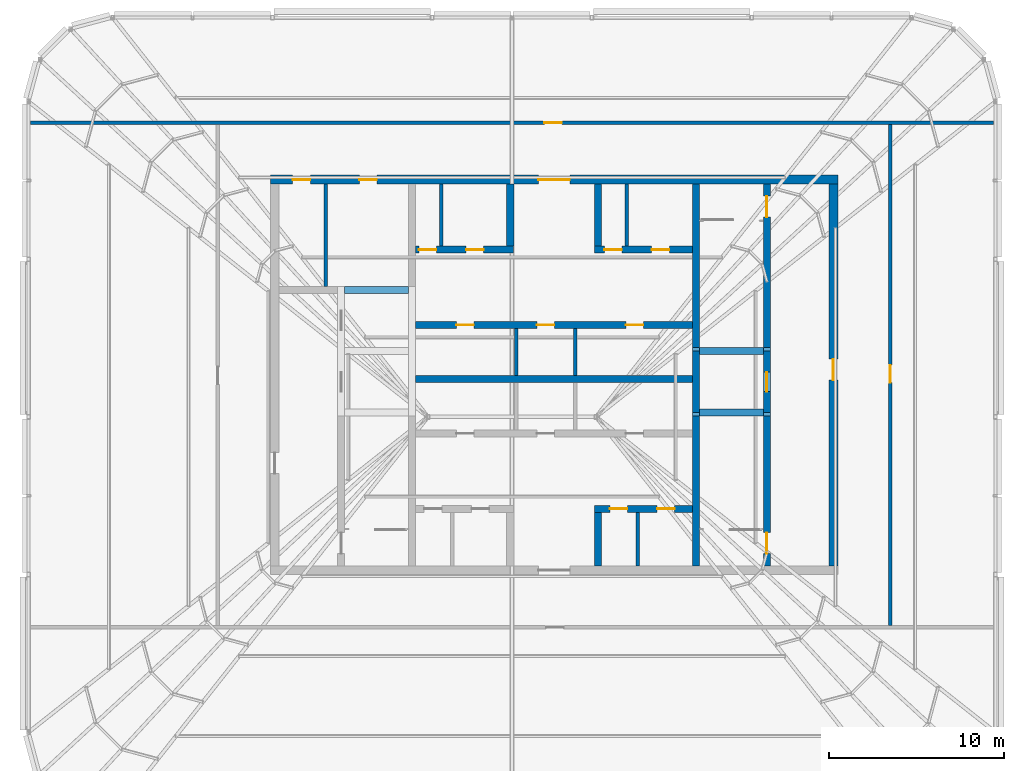
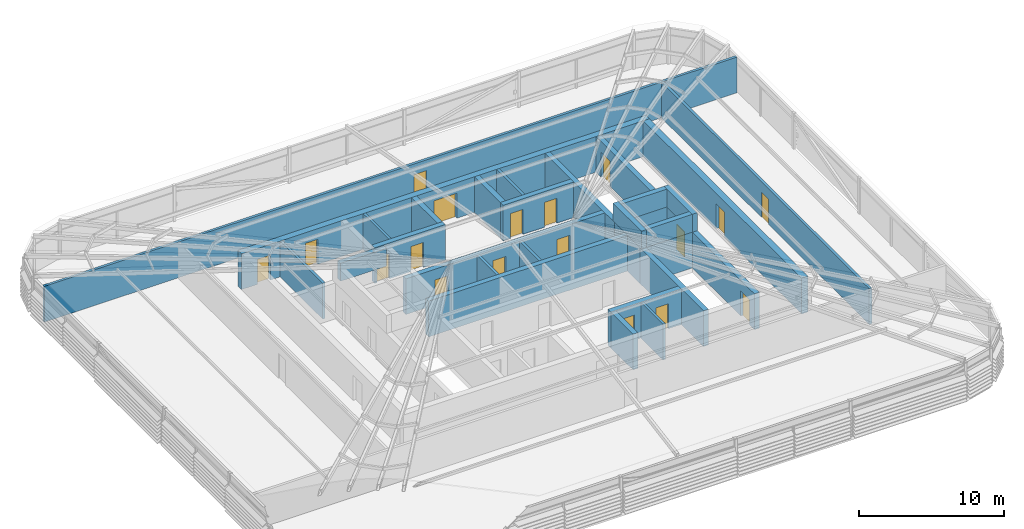
# One storey, part 22 of 46: 31 walls, 18 doors, 18 openings.
"""IFC4 building model written with IfcOpenShell, lengths in metres."""

from ifc_helpers import new_model, si_unit, direction, frame, frame_2d, origin, place, context, subcontext, project, spatial, rectangle, extrude, material, layer, layer_set, type_object, element, fill, save


model = new_model("IFC4")

# Units and contexts
model_context = context("Model", 3, precision=1e-05, world=origin(), true_north=direction((0.0, 1.0)))
body_context = subcontext(model_context, "Body", "Model", "MODEL_VIEW")
ifc_project = project(units=[si_unit("LENGTHUNIT", "METRE"), si_unit("AREAUNIT", "SQUARE_METRE"), si_unit("VOLUMEUNIT", "CUBIC_METRE"), si_unit("PLANEANGLEUNIT", "RADIAN"), si_unit("MASSUNIT", "GRAM", prefix="KILO")], contexts=[model_context])

# Site, building, storey
site_placement = place(None, origin())
site = spatial("IfcSite", under=ifc_project, at=site_placement, CompositionType="ELEMENT")
building_placement = place(site_placement, origin())
building = spatial("IfcBuilding", under=site, at=building_placement, Name="Madar Terraces", CompositionType="ELEMENT")
storey_placement = place(building_placement, frame((0.0, 0.0, 317.300048828125)))
storey = spatial("IfcBuildingStorey", under=building, at=storey_placement, Name="L82", CompositionType="ELEMENT", Elevation=317.300048828125)

# Walls
ifc_material_1 = material(Name="Concrete C50/60", Category="concrete")
ifc_layer_1 = layer(ifc_material_1, 0.39990234375)
ifc_layer_set_1 = layer_set([ifc_layer_1], Name="Concrete C50/60 (CIW6 RC wall 400)")
wall_type_1 = type_object("IfcWallType", Name="CIW6 RC wall 400", PredefinedType="SHEAR", material=ifc_layer_set_1)
wall_1_placement = place(storey_placement, frame((39.300048828125, 15.5, 0.0), z_axis=(0.0, 0.0, 1.0), x_axis=(0.0, 1.0, 0.0)))
element("IfcWall", 1, at=wall_1_placement, inside=storey, type_object=wall_type_1, Name="CORE SHAFT WALL", PredefinedType="SHEAR", context=body_context, shape_type="SweptSolid", body=[
    extrude(rectangle(XDim=8.75, YDim=0.39990234375, at=frame_2d((4.375, 0.0))), origin(), (0.0, 0.0, 1.0), 3.0),
])
wall_2_placement = place(storey_placement, frame((39.300048828125, 24.25, 0.0), z_axis=(0.0, 0.0, 1.0), x_axis=(0.0, 1.0, 0.0)))
element("IfcWall", 2, at=wall_2_placement, inside=storey, type_object=wall_type_1, Name="CORE SHAFT WALL", PredefinedType="SHEAR", context=body_context, shape_type="SweptSolid", body=[
    extrude(rectangle(XDim=3.5, YDim=0.39990234375, at=frame_2d((1.75, 0.0))), origin(), (0.0, 0.0, 1.0), 3.0),
])
wall_3_placement = place(storey_placement, frame((39.300048828125, 27.75, 0.0), z_axis=(0.0, 0.0, 1.0), x_axis=(0.0, 1.0, 0.0)))
element("IfcWall", 3, at=wall_3_placement, inside=storey, type_object=wall_type_1, Name="CORE SHAFT WALL", PredefinedType="SHEAR", context=body_context, shape_type="SweptSolid", body=[
    extrude(rectangle(XDim=9.550048828125, YDim=0.39990234375, at=frame_2d((4.77490234375, 0.0))), origin(), (0.0, 0.0, 1.0), 3.0),
])

# Wall, opening, door
wall_4_placement = place(storey_placement, frame((43.35009765625, 15.5, 0.0), z_axis=(0.0, 0.0, 1.0), x_axis=(0.0, 1.0, 0.0)))
wall_4 = element("IfcWall", 4, at=wall_4_placement, inside=storey, type_object=wall_type_1, Name="CORE SHAFT WALL", PredefinedType="SHEAR", context=body_context, shape_type="SweptSolid", body=[
    extrude(rectangle(XDim=8.75, YDim=0.39990234375, at=frame_2d((4.375, 0.0))), origin(), (0.0, 0.0, 1.0), 3.0),
])
opening_1_placement = place(wall_4_placement, frame((0.699951171875, 0.0, 0.0)))
opening_1 = element("IfcOpeningElement", 5, at=opening_1_placement, cuts=wall_4, Name="Opening SD1", PredefinedType="OPENING", context=body_context, shape_type="SweptSolid", body=[
    extrude(rectangle(XDim=1.199951171875, YDim=2.10009765625, at=frame_2d((0.60009765625, 1.050048828125))), frame((0.0, 0.2099609375, 0.0), z_axis=(0.0, -1.0, 0.0), x_axis=(1.0, 0.0, 0.0)), (0.0, 0.0, 1.0), 0.419921875),
])
ifc_material_2 = material(Name="Steel door leaf", Category="steel")
door_type_1 = type_object("IfcDoorType", Name="Stair door 1200 x 2100", OperationType="NOTDEFINED", PredefinedType="DOOR", material=ifc_material_2)
door_1_placement = place(opening_1_placement, origin())
door_1 = element("IfcDoor", 6, at=door_1_placement, inside=storey, type_object=door_type_1, Name="STAIR DOOR", OperationType="SINGLE_SWING_LEFT", OverallHeight=2.10009765625, OverallWidth=1.199951171875, PredefinedType="DOOR", context=body_context, shape_type="SweptSolid", body=[
    extrude(rectangle(XDim=1.199951171875, YDim=2.10009765625, at=frame_2d((0.60009765625, 1.050048828125))), frame((0.0, 0.02490234375, 0.0), z_axis=(0.0, -1.0, 0.0), x_axis=(1.0, 0.0, 0.0)), (0.0, 0.0, 1.0), 0.050048828125),
])
fill(opening_1, door_1)

wall_5_placement = place(storey_placement, frame((43.35009765625, 24.25, 0.0), z_axis=(0.0, 0.0, 1.0), x_axis=(0.0, 1.0, 0.0)))
wall_5 = element("IfcWall", 7, at=wall_5_placement, inside=storey, type_object=wall_type_1, Name="CORE SHAFT WALL", PredefinedType="SHEAR", context=body_context, shape_type="SweptSolid", body=[
    extrude(rectangle(XDim=3.5, YDim=0.39990234375, at=frame_2d((1.75, 0.0))), origin(), (0.0, 0.0, 1.0), 3.0),
])
opening_2_placement = place(wall_5_placement, frame((1.199951171875, 0.0, 0.0)))
opening_2 = element("IfcOpeningElement", 8, at=opening_2_placement, cuts=wall_5, Name="Opening LD", PredefinedType="OPENING", context=body_context, shape_type="SweptSolid", body=[
    extrude(rectangle(XDim=1.10009765625, YDim=2.10009765625, at=frame_2d((0.550048828125, 1.050048828125))), frame((0.0, 0.2099609375, 0.0), z_axis=(0.0, -1.0, 0.0), x_axis=(1.0, 0.0, 0.0)), (0.0, 0.0, 1.0), 0.419921875),
])
ifc_material_3 = material(Name="Stainless steel panel", Category="steel")
door_type_2 = type_object("IfcDoorType", Name="Lift landing door 1100 x 2100", OperationType="DOUBLE_DOOR_SLIDING", PredefinedType="DOOR", material=ifc_material_3)
door_2_placement = place(opening_2_placement, origin())
door_2 = element("IfcDoor", 9, at=door_2_placement, inside=storey, type_object=door_type_2, Name="LIFT LANDING DOOR", OperationType="DOUBLE_DOOR_SLIDING", OverallHeight=2.10009765625, OverallWidth=1.10009765625, PredefinedType="DOOR", context=body_context, shape_type="SweptSolid", body=[
    extrude(rectangle(XDim=1.10009765625, YDim=2.10009765625, at=frame_2d((0.550048828125, 1.050048828125))), frame((0.0, 0.02490234375, 0.0), z_axis=(0.0, -1.0, 0.0), x_axis=(1.0, 0.0, 0.0)), (0.0, 0.0, 1.0), 0.050048828125),
])
fill(opening_2, door_2)

wall_6_placement = place(storey_placement, frame((43.35009765625, 27.75, 0.0), z_axis=(0.0, 0.0, 1.0), x_axis=(0.0, 1.0, 0.0)))
wall_6 = element("IfcWall", 10, at=wall_6_placement, inside=storey, type_object=wall_type_1, Name="CORE SHAFT WALL", PredefinedType="SHEAR", context=body_context, shape_type="SweptSolid", body=[
    extrude(rectangle(XDim=9.550048828125, YDim=0.39990234375, at=frame_2d((4.77490234375, 0.0))), origin(), (0.0, 0.0, 1.0), 3.0),
])
opening_3_placement = place(wall_6_placement, frame((7.64990234375, 0.0, 0.0)))
opening_3 = element("IfcOpeningElement", 11, at=opening_3_placement, cuts=wall_6, Name="Opening SD1", PredefinedType="OPENING", context=body_context, shape_type="SweptSolid", body=[
    extrude(rectangle(XDim=1.199951171875, YDim=2.10009765625, at=frame_2d((0.60009765625, 1.050048828125))), frame((0.0, 0.2099609375, 0.0), z_axis=(0.0, -1.0, 0.0), x_axis=(1.0, 0.0, 0.0)), (0.0, 0.0, 1.0), 0.419921875),
])
door_3_placement = place(opening_3_placement, origin())
door_3 = element("IfcDoor", 12, at=door_3_placement, inside=storey, type_object=door_type_1, Name="STAIR DOOR", OperationType="SINGLE_SWING_RIGHT", OverallHeight=2.10009765625, OverallWidth=1.199951171875, PredefinedType="DOOR", context=body_context, shape_type="SweptSolid", body=[
    extrude(rectangle(XDim=1.199951171875, YDim=2.10009765625, at=frame_2d((0.60009765625, 1.050048828125))), frame((0.0, 0.02490234375, 0.0), z_axis=(0.0, -1.0, 0.0), x_axis=(1.0, 0.0, 0.0)), (0.0, 0.0, 1.0), 0.050048828125),
])
fill(opening_3, door_3)

# Walls
for number, where, z_axis, x_axis, name in (
    (13, (39.5, 24.25, 0.0), (0.0, 0.0, 1.0), (1.0, 0.0, 0.0), "CORE SHAFT WALL"),
    (14, (39.5, 27.75, 0.0), (0.0, 0.0, 1.0), (1.0, 0.0, 0.0), "CORE SHAFT WALL"),
):
    element("IfcWall", number, at=place(storey_placement, frame(where, z_axis=z_axis, x_axis=x_axis)), inside=storey, type_object=wall_type_1, Name=name, PredefinedType="SHEAR", context=body_context, shape_type="SweptSolid", body=[
        extrude(rectangle(XDim=3.64990234375, YDim=0.39990234375, at=frame_2d((1.824951171875, 0.0))), origin(), (0.0, 0.0, 1.0), 3.0),
    ])

# Wall, openings, doors
wall_7_placement = place(storey_placement, frame((33.5, 18.75, 0.0), z_axis=(0.0, 0.0, 1.0), x_axis=(1.0, 0.0, 0.0)))
wall_7 = element("IfcWall", 15, at=wall_7_placement, inside=storey, type_object=wall_type_1, Name="CORE SHAFT WALL", PredefinedType="SHEAR", context=body_context, shape_type="SweptSolid", body=[
    extrude(rectangle(XDim=5.60009765625, YDim=0.39990234375, at=frame_2d((2.800048828125, 0.0))), origin(), (0.0, 0.0, 1.0), 3.0),
])
opening_4_placement = place(wall_7_placement, frame((0.889892578125, 0.0, 0.0)))
opening_4 = element("IfcOpeningElement", 16, at=opening_4_placement, cuts=wall_7, Name="Opening KD2", PredefinedType="OPENING", context=body_context, shape_type="SweptSolid", body=[
    extrude(rectangle(XDim=1.0, YDim=2.10009765625, at=frame_2d((0.5, 1.050048828125))), frame((0.0, 0.2099609375, 0.0), z_axis=(0.0, -1.0, 0.0), x_axis=(1.0, 0.0, 0.0)), (0.0, 0.0, 1.0), 0.419921875),
])
opening_5_placement = place(wall_7_placement, frame((3.590087890625, 0.0, 0.0)))
opening_5 = element("IfcOpeningElement", 17, at=opening_5_placement, cuts=wall_7, Name="Opening KD2", PredefinedType="OPENING", context=body_context, shape_type="SweptSolid", body=[
    extrude(rectangle(XDim=1.0, YDim=2.10009765625, at=frame_2d((0.5, 1.050048828125))), frame((0.0, 0.2099609375, 0.0), z_axis=(0.0, -1.0, 0.0), x_axis=(1.0, 0.0, 0.0)), (0.0, 0.0, 1.0), 0.419921875),
])
ifc_material_4 = material(Name="Steel door leaf", Category="steel")
door_type_3 = type_object("IfcDoorType", Name="Service room door 1000 x 2100", OperationType="NOTDEFINED", PredefinedType="DOOR", material=ifc_material_4)
door_4_placement = place(opening_4_placement, origin())
door_4 = element("IfcDoor", 18, at=door_4_placement, inside=storey, type_object=door_type_3, Name="SERVICE ROOM DOOR", OperationType="SINGLE_SWING_LEFT", OverallHeight=2.10009765625, OverallWidth=1.0, PredefinedType="DOOR", context=body_context, shape_type="SweptSolid", body=[
    extrude(rectangle(XDim=1.0, YDim=2.10009765625, at=frame_2d((0.5, 1.050048828125))), frame((0.0, 0.02490234375, 0.0), z_axis=(0.0, -1.0, 0.0), x_axis=(1.0, 0.0, 0.0)), (0.0, 0.0, 1.0), 0.050048828125),
])
fill(opening_4, door_4)
door_5_placement = place(opening_5_placement, origin())
door_5 = element("IfcDoor", 19, at=door_5_placement, inside=storey, type_object=door_type_3, Name="SERVICE ROOM DOOR", OperationType="SINGLE_SWING_RIGHT", OverallHeight=2.10009765625, OverallWidth=1.0, PredefinedType="DOOR", context=body_context, shape_type="SweptSolid", body=[
    extrude(rectangle(XDim=1.0, YDim=2.10009765625, at=frame_2d((0.5, 1.050048828125))), frame((0.0, 0.02490234375, 0.0), z_axis=(0.0, -1.0, 0.0), x_axis=(1.0, 0.0, 0.0)), (0.0, 0.0, 1.0), 0.050048828125),
])
fill(opening_5, door_5)

# Wall
wall_8_placement = place(storey_placement, frame((23.300048828125, 26.14990234375, 0.0), z_axis=(0.0, 0.0, 1.0), x_axis=(1.0, 0.0, 0.0)))
element("IfcWall", 20, at=wall_8_placement, inside=storey, type_object=wall_type_1, Name="CORE SHAFT WALL", PredefinedType="SHEAR", context=body_context, shape_type="SweptSolid", body=[
    extrude(rectangle(XDim=15.800048828125, YDim=0.39990234375, at=frame_2d((7.89990234375, 0.0))), origin(), (0.0, 0.0, 1.0), 3.0),
])

# Wall, openings, doors
wall_9_placement = place(storey_placement, frame((23.300048828125, 29.25, 0.0), z_axis=(0.0, 0.0, 1.0), x_axis=(1.0, 0.0, 0.0)))
wall_9 = element("IfcWall", 21, at=wall_9_placement, inside=storey, type_object=wall_type_1, Name="CORE SHAFT WALL", PredefinedType="SHEAR", context=body_context, shape_type="SweptSolid", body=[
    extrude(rectangle(XDim=15.800048828125, YDim=0.39990234375, at=frame_2d((7.89990234375, 0.0))), origin(), (0.0, 0.0, 1.0), 3.0),
])
opening_6_placement = place(wall_9_placement, frame((2.3203125, 0.0, 0.0)))
opening_6 = element("IfcOpeningElement", 22, at=opening_6_placement, cuts=wall_9, Name="Opening KD2", PredefinedType="OPENING", context=body_context, shape_type="SweptSolid", body=[
    extrude(rectangle(XDim=1.0, YDim=2.10009765625, at=frame_2d((0.5, 1.050048828125))), frame((0.0, 0.2099609375, 0.0), z_axis=(0.0, -1.0, 0.0), x_axis=(1.0, 0.0, 0.0)), (0.0, 0.0, 1.0), 0.419921875),
])
opening_7_placement = place(wall_9_placement, frame((6.926025390625, 0.0, 0.0)))
opening_7 = element("IfcOpeningElement", 23, at=opening_7_placement, cuts=wall_9, Name="Opening KD2", PredefinedType="OPENING", context=body_context, shape_type="SweptSolid", body=[
    extrude(rectangle(XDim=1.0, YDim=2.10009765625, at=frame_2d((0.5, 1.050048828125))), frame((0.0, 0.2099609375, 0.0), z_axis=(0.0, -1.0, 0.0), x_axis=(1.0, 0.0, 0.0)), (0.0, 0.0, 1.0), 0.419921875),
])
opening_8_placement = place(wall_9_placement, frame((12.005615234375, 0.0, 0.0)))
opening_8 = element("IfcOpeningElement", 24, at=opening_8_placement, cuts=wall_9, Name="Opening KD2", PredefinedType="OPENING", context=body_context, shape_type="SweptSolid", body=[
    extrude(rectangle(XDim=1.0, YDim=2.10009765625, at=frame_2d((0.5, 1.050048828125))), frame((0.0, 0.2099609375, 0.0), z_axis=(0.0, -1.0, 0.0), x_axis=(1.0, 0.0, 0.0)), (0.0, 0.0, 1.0), 0.419921875),
])
door_6_placement = place(opening_6_placement, origin())
door_6 = element("IfcDoor", 25, at=door_6_placement, inside=storey, type_object=door_type_3, Name="SERVICE ROOM DOOR", OperationType="SINGLE_SWING_RIGHT", OverallHeight=2.10009765625, OverallWidth=1.0, PredefinedType="DOOR", context=body_context, shape_type="SweptSolid", body=[
    extrude(rectangle(XDim=1.0, YDim=2.10009765625, at=frame_2d((0.5, 1.050048828125))), frame((0.0, 0.02490234375, 0.0), z_axis=(0.0, -1.0, 0.0), x_axis=(1.0, 0.0, 0.0)), (0.0, 0.0, 1.0), 0.050048828125),
])
fill(opening_6, door_6)
door_7_placement = place(opening_7_placement, origin())
door_7 = element("IfcDoor", 26, at=door_7_placement, inside=storey, type_object=door_type_3, Name="SERVICE ROOM DOOR", OperationType="SINGLE_SWING_LEFT", OverallHeight=2.10009765625, OverallWidth=1.0, PredefinedType="DOOR", context=body_context, shape_type="SweptSolid", body=[
    extrude(rectangle(XDim=1.0, YDim=2.10009765625, at=frame_2d((0.5, 1.050048828125))), frame((0.0, 0.02490234375, 0.0), z_axis=(0.0, -1.0, 0.0), x_axis=(1.0, 0.0, 0.0)), (0.0, 0.0, 1.0), 0.050048828125),
])
fill(opening_7, door_7)
door_8_placement = place(opening_8_placement, origin())
door_8 = element("IfcDoor", 27, at=door_8_placement, inside=storey, type_object=door_type_3, Name="SERVICE ROOM DOOR", OperationType="SINGLE_SWING_RIGHT", OverallHeight=2.10009765625, OverallWidth=1.0, PredefinedType="DOOR", context=body_context, shape_type="SweptSolid", body=[
    extrude(rectangle(XDim=1.0, YDim=2.10009765625, at=frame_2d((0.5, 1.050048828125))), frame((0.0, 0.02490234375, 0.0), z_axis=(0.0, -1.0, 0.0), x_axis=(1.0, 0.0, 0.0)), (0.0, 0.0, 1.0), 0.050048828125),
])
fill(opening_8, door_8)

wall_10_placement = place(storey_placement, frame((23.300048828125, 33.550048828125, 0.0), z_axis=(0.0, 0.0, 1.0), x_axis=(1.0, 0.0, 0.0)))
wall_10 = element("IfcWall", 28, at=wall_10_placement, inside=storey, type_object=wall_type_1, Name="CORE SHAFT WALL", PredefinedType="SHEAR", context=body_context, shape_type="SweptSolid", body=[
    extrude(rectangle(XDim=5.599853515625, YDim=0.39990234375, at=frame_2d((2.7998046875, 0.0))), origin(), (0.0, 0.0, 1.0), 3.0),
])
opening_9_placement = place(wall_10_placement, frame((0.177978515625, 0.0, 0.0)))
opening_9 = element("IfcOpeningElement", 29, at=opening_9_placement, cuts=wall_10, Name="Opening KD2", PredefinedType="OPENING", context=body_context, shape_type="SweptSolid", body=[
    extrude(rectangle(XDim=1.0, YDim=2.10009765625, at=frame_2d((0.5, 1.050048828125))), frame((0.0, 0.2099609375, 0.0), z_axis=(0.0, -1.0, 0.0), x_axis=(1.0, 0.0, 0.0)), (0.0, 0.0, 1.0), 0.419921875),
])
opening_10_placement = place(wall_10_placement, frame((2.8779296875, 0.0, 0.0)))
opening_10 = element("IfcOpeningElement", 30, at=opening_10_placement, cuts=wall_10, Name="Opening KD2", PredefinedType="OPENING", context=body_context, shape_type="SweptSolid", body=[
    extrude(rectangle(XDim=1.0, YDim=2.10009765625, at=frame_2d((0.5, 1.050048828125))), frame((0.0, 0.2099609375, 0.0), z_axis=(0.0, -1.0, 0.0), x_axis=(1.0, 0.0, 0.0)), (0.0, 0.0, 1.0), 0.419921875),
])
door_9_placement = place(opening_9_placement, frame((1.0, 0.0, 0.0), z_axis=(0.0, 0.0, 1.0), x_axis=(-1.0, 0.0, 0.0)))
door_9 = element("IfcDoor", 31, at=door_9_placement, inside=storey, type_object=door_type_3, Name="SERVICE ROOM DOOR", OperationType="SINGLE_SWING_LEFT", OverallHeight=2.10009765625, OverallWidth=1.0, PredefinedType="DOOR", context=body_context, shape_type="SweptSolid", body=[
    extrude(rectangle(XDim=1.0, YDim=2.10009765625, at=frame_2d((0.5, 1.050048828125))), frame((0.0, 0.02490234375, 0.0), z_axis=(0.0, -1.0, 0.0), x_axis=(1.0, 0.0, 0.0)), (0.0, 0.0, 1.0), 0.050048828125),
])
fill(opening_9, door_9)
door_10_placement = place(opening_10_placement, frame((1.0, 0.0, 0.0), z_axis=(0.0, 0.0, 1.0), x_axis=(-1.0, 0.0, 0.0)))
door_10 = element("IfcDoor", 32, at=door_10_placement, inside=storey, type_object=door_type_3, Name="SERVICE ROOM DOOR", OperationType="SINGLE_SWING_RIGHT", OverallHeight=2.10009765625, OverallWidth=1.0, PredefinedType="DOOR", context=body_context, shape_type="SweptSolid", body=[
    extrude(rectangle(XDim=1.0, YDim=2.10009765625, at=frame_2d((0.5, 1.050048828125))), frame((0.0, 0.02490234375, 0.0), z_axis=(0.0, -1.0, 0.0), x_axis=(1.0, 0.0, 0.0)), (0.0, 0.0, 1.0), 0.050048828125),
])
fill(opening_10, door_10)

wall_11_placement = place(storey_placement, frame((33.5, 33.550048828125, 0.0), z_axis=(0.0, 0.0, 1.0), x_axis=(1.0, 0.0, 0.0)))
wall_11 = element("IfcWall", 33, at=wall_11_placement, inside=storey, type_object=wall_type_1, Name="CORE SHAFT WALL", PredefinedType="SHEAR", context=body_context, shape_type="SweptSolid", body=[
    extrude(rectangle(XDim=5.60009765625, YDim=0.39990234375, at=frame_2d((2.800048828125, 0.0))), origin(), (0.0, 0.0, 1.0), 3.0),
])
opening_11_placement = place(wall_11_placement, frame((0.577880859375, 0.0, 0.0)))
opening_11 = element("IfcOpeningElement", 34, at=opening_11_placement, cuts=wall_11, Name="Opening KD2", PredefinedType="OPENING", context=body_context, shape_type="SweptSolid", body=[
    extrude(rectangle(XDim=1.0, YDim=2.10009765625, at=frame_2d((0.5, 1.050048828125))), frame((0.0, 0.2099609375, 0.0), z_axis=(0.0, -1.0, 0.0), x_axis=(1.0, 0.0, 0.0)), (0.0, 0.0, 1.0), 0.419921875),
])
opening_12_placement = place(wall_11_placement, frame((3.278076171875, 0.0, 0.0)))
opening_12 = element("IfcOpeningElement", 35, at=opening_12_placement, cuts=wall_11, Name="Opening KD2", PredefinedType="OPENING", context=body_context, shape_type="SweptSolid", body=[
    extrude(rectangle(XDim=1.0, YDim=2.10009765625, at=frame_2d((0.5, 1.050048828125))), frame((0.0, 0.2099609375, 0.0), z_axis=(0.0, -1.0, 0.0), x_axis=(1.0, 0.0, 0.0)), (0.0, 0.0, 1.0), 0.419921875),
])
door_11_placement = place(opening_11_placement, frame((1.0, 0.0, 0.0), z_axis=(0.0, 0.0, 1.0), x_axis=(-1.0, 0.0, 0.0)))
door_11 = element("IfcDoor", 36, at=door_11_placement, inside=storey, type_object=door_type_3, Name="SERVICE ROOM DOOR", OperationType="SINGLE_SWING_LEFT", OverallHeight=2.10009765625, OverallWidth=1.0, PredefinedType="DOOR", context=body_context, shape_type="SweptSolid", body=[
    extrude(rectangle(XDim=1.0, YDim=2.10009765625, at=frame_2d((0.5, 1.050048828125))), frame((0.0, 0.02490234375, 0.0), z_axis=(0.0, -1.0, 0.0), x_axis=(1.0, 0.0, 0.0)), (0.0, 0.0, 1.0), 0.050048828125),
])
fill(opening_11, door_11)
door_12_placement = place(opening_12_placement, frame((1.0, 0.0, 0.0), z_axis=(0.0, 0.0, 1.0), x_axis=(-1.0, 0.0, 0.0)))
door_12 = element("IfcDoor", 37, at=door_12_placement, inside=storey, type_object=door_type_3, Name="SERVICE ROOM DOOR", OperationType="SINGLE_SWING_RIGHT", OverallHeight=2.10009765625, OverallWidth=1.0, PredefinedType="DOOR", context=body_context, shape_type="SweptSolid", body=[
    extrude(rectangle(XDim=1.0, YDim=2.10009765625, at=frame_2d((0.5, 1.050048828125))), frame((0.0, 0.02490234375, 0.0), z_axis=(0.0, -1.0, 0.0), x_axis=(1.0, 0.0, 0.0)), (0.0, 0.0, 1.0), 0.050048828125),
])
fill(opening_12, door_12)

# Walls
wall_12_placement = place(storey_placement, frame((33.699951171875, 15.5, 0.0), z_axis=(0.0, 0.0, 1.0), x_axis=(0.0, 1.0, 0.0)))
element("IfcWall", 38, at=wall_12_placement, inside=storey, type_object=wall_type_1, Name="CORE SHAFT WALL", PredefinedType="SHEAR", context=body_context, shape_type="SweptSolid", body=[
    extrude(rectangle(XDim=3.050048828125, YDim=0.39990234375, at=frame_2d((1.52490234375, 0.0))), origin(), (0.0, 0.0, 1.0), 3.0),
])
for number, where, z_axis, x_axis, name in (
    (39, (28.699951171875, 33.75, 0.0), (0.0, 0.0, 1.0), (0.0, 1.0, 0.0), "CORE SHAFT WALL"),
    (40, (33.699951171875, 33.75, 0.0), (0.0, 0.0, 1.0), (0.0, 1.0, 0.0), "CORE SHAFT WALL"),
):
    element("IfcWall", number, at=place(storey_placement, frame(where, z_axis=z_axis, x_axis=x_axis)), inside=storey, type_object=wall_type_1, Name=name, PredefinedType="SHEAR", context=body_context, shape_type="SweptSolid", body=[
        extrude(rectangle(XDim=3.550048828125, YDim=0.39990234375, at=frame_2d((1.77490234375, 0.0))), origin(), (0.0, 0.0, 1.0), 3.0),
    ])
ifc_material_5 = material(Name="Concrete C50/60", Category="concrete")
ifc_layer_2 = layer(ifc_material_5, 0.39990234375)
ifc_layer_set_2 = layer_set([ifc_layer_2], Name="Concrete C50/60 (CIW6A RC wall 400)")
wall_type_2 = type_object("IfcWallType", Name="CIW6A RC wall 400", PredefinedType="SHEAR", material=ifc_layer_set_2)
wall_13_placement = place(storey_placement, frame((19.25, 31.25, 3.0), z_axis=(0.0, 0.0, 1.0), x_axis=(1.0, 0.0, 0.0)))
element("IfcWall", 41, at=wall_13_placement, inside=storey, type_object=wall_type_2, Name="LIFT OVERRUN WALL", PredefinedType="SHEAR", context=body_context, shape_type="SweptSolid", body=[
    extrude(rectangle(XDim=3.64990234375, YDim=0.39990234375, at=frame_2d((1.824951171875, 0.0))), origin(), (0.0, 0.0, 1.0), 1.5),
])
for number, where, z_axis, x_axis, name in (
    (42, (39.300048828125, 24.050048828125, 3.0), (0.0, 0.0, 1.0), (0.0, 1.0, 0.0), "LIFT OVERRUN WALL"),
    (43, (43.35009765625, 24.050048828125, 3.0), (0.0, 0.0, 1.0), (0.0, 1.0, 0.0), "LIFT OVERRUN WALL"),
):
    element("IfcWall", number, at=place(storey_placement, frame(where, z_axis=z_axis, x_axis=x_axis)), inside=storey, type_object=wall_type_2, Name=name, PredefinedType="SHEAR", context=body_context, shape_type="SweptSolid", body=[
        extrude(rectangle(XDim=3.89990234375, YDim=0.39990234375, at=frame_2d((1.949951171875, 0.0))), origin(), (0.0, 0.0, 1.0), 1.5),
    ])
for number, where, z_axis, x_axis, name in (
    (44, (39.5, 24.25, 3.0), (0.0, 0.0, 1.0), (1.0, 0.0, 0.0), "LIFT OVERRUN WALL"),
    (45, (39.5, 27.75, 3.0), (0.0, 0.0, 1.0), (1.0, 0.0, 0.0), "LIFT OVERRUN WALL"),
):
    element("IfcWall", number, at=place(storey_placement, frame(where, z_axis=z_axis, x_axis=x_axis)), inside=storey, type_object=wall_type_2, Name=name, PredefinedType="SHEAR", context=body_context, shape_type="SweptSolid", body=[
        extrude(rectangle(XDim=3.64990234375, YDim=0.39990234375, at=frame_2d((1.824951171875, 0.0))), origin(), (0.0, 0.0, 1.0), 1.5),
    ])

# Wall, openings, doors
ifc_material_6 = material(Name="Concrete C50/60", Category="concrete")
ifc_layer_3 = layer(ifc_material_6, 0.5)
ifc_layer_set_3 = layer_set([ifc_layer_3], Name="Concrete C50/60 (CRW6 RC wall 500)")
wall_type_3 = type_object("IfcWallType", Name="CRW6 RC wall 500", PredefinedType="SHEAR", material=ifc_layer_set_3)
wall_14_placement = place(storey_placement, frame((15.0, 37.550048828125, 0.0), z_axis=(0.0, 0.0, 1.0), x_axis=(1.0, 0.0, 0.0)))
wall_14 = element("IfcWall", 46, at=wall_14_placement, inside=storey, type_object=wall_type_3, Name="CORE OUTER WALL", PredefinedType="SHEAR", context=body_context, shape_type="SweptSolid", body=[
    extrude(rectangle(XDim=32.39990234375, YDim=0.5, at=frame_2d((16.199951171875, 0.0))), origin(), (0.0, 0.0, 1.0), 3.0),
])
opening_13_placement = place(wall_14_placement, frame((15.300048828125, 0.0, 0.0)))
opening_13 = element("IfcOpeningElement", 47, at=opening_13_placement, cuts=wall_14, Name="Opening KD1", PredefinedType="OPENING", context=body_context, shape_type="SweptSolid", body=[
    extrude(rectangle(XDim=1.800048828125, YDim=2.10009765625, at=frame_2d((0.89990234375, 1.050048828125))), frame((0.0, 0.260009765625, 0.0), z_axis=(0.0, -1.0, 0.0), x_axis=(1.0, 0.0, 0.0)), (0.0, 0.0, 1.0), 0.52001953125),
])
opening_14_placement = place(wall_14_placement, frame((1.281982421875, 0.0, 0.0)))
opening_14 = element("IfcOpeningElement", 48, at=opening_14_placement, cuts=wall_14, Name="Opening KD2", PredefinedType="OPENING", context=body_context, shape_type="SweptSolid", body=[
    extrude(rectangle(XDim=1.0, YDim=2.10009765625, at=frame_2d((0.5, 1.050048828125))), frame((0.0, 0.260009765625, 0.0), z_axis=(0.0, -1.0, 0.0), x_axis=(1.0, 0.0, 0.0)), (0.0, 0.0, 1.0), 0.52001953125),
])
opening_15_placement = place(wall_14_placement, frame((5.08203125, 0.0, 0.0)))
opening_15 = element("IfcOpeningElement", 49, at=opening_15_placement, cuts=wall_14, Name="Opening KD2", PredefinedType="OPENING", context=body_context, shape_type="SweptSolid", body=[
    extrude(rectangle(XDim=1.0, YDim=2.10009765625, at=frame_2d((0.5, 1.050048828125))), frame((0.0, 0.260009765625, 0.0), z_axis=(0.0, -1.0, 0.0), x_axis=(1.0, 0.0, 0.0)), (0.0, 0.0, 1.0), 0.52001953125),
])
ifc_material_7 = material(Name="Steel door leaf", Category="steel")
door_type_4 = type_object("IfcDoorType", Name="Lobby door pair 1800 x 2100", OperationType="DOUBLE_DOOR_SINGLE_SWING", PredefinedType="DOOR", material=ifc_material_7)
door_13_placement = place(opening_13_placement, origin())
door_13 = element("IfcDoor", 50, at=door_13_placement, inside=storey, type_object=door_type_4, Name="LIFT LOBBY DOOR", OperationType="DOUBLE_DOOR_SINGLE_SWING", OverallHeight=2.10009765625, OverallWidth=1.800048828125, PredefinedType="DOOR", context=body_context, shape_type="SweptSolid", body=[
    extrude(rectangle(XDim=1.800048828125, YDim=2.10009765625, at=frame_2d((0.89990234375, 1.050048828125))), frame((0.0, 0.02490234375, 0.0), z_axis=(0.0, -1.0, 0.0), x_axis=(1.0, 0.0, 0.0)), (0.0, 0.0, 1.0), 0.050048828125),
])
fill(opening_13, door_13)
door_14_placement = place(opening_14_placement, origin())
door_14 = element("IfcDoor", 51, at=door_14_placement, inside=storey, type_object=door_type_3, Name="SERVICE ROOM DOOR", OperationType="SINGLE_SWING_LEFT", OverallHeight=2.10009765625, OverallWidth=1.0, PredefinedType="DOOR", context=body_context, shape_type="SweptSolid", body=[
    extrude(rectangle(XDim=1.0, YDim=2.10009765625, at=frame_2d((0.5, 1.050048828125))), frame((0.0, 0.02490234375, 0.0), z_axis=(0.0, -1.0, 0.0), x_axis=(1.0, 0.0, 0.0)), (0.0, 0.0, 1.0), 0.050048828125),
])
fill(opening_14, door_14)
door_15_placement = place(opening_15_placement, origin())
door_15 = element("IfcDoor", 52, at=door_15_placement, inside=storey, type_object=door_type_3, Name="SERVICE ROOM DOOR", OperationType="SINGLE_SWING_RIGHT", OverallHeight=2.10009765625, OverallWidth=1.0, PredefinedType="DOOR", context=body_context, shape_type="SweptSolid", body=[
    extrude(rectangle(XDim=1.0, YDim=2.10009765625, at=frame_2d((0.5, 1.050048828125))), frame((0.0, 0.02490234375, 0.0), z_axis=(0.0, -1.0, 0.0), x_axis=(1.0, 0.0, 0.0)), (0.0, 0.0, 1.0), 0.050048828125),
])
fill(opening_15, door_15)

# Wall, opening, door
wall_15_placement = place(storey_placement, frame((47.14990234375, 15.5, 0.0), z_axis=(0.0, 0.0, 1.0), x_axis=(0.0, 1.0, 0.0)))
wall_15 = element("IfcWall", 53, at=wall_15_placement, inside=storey, type_object=wall_type_3, Name="CORE OUTER WALL", PredefinedType="SHEAR", context=body_context, shape_type="SweptSolid", body=[
    extrude(rectangle(XDim=21.800048828125, YDim=0.5, at=frame_2d((10.89990234375, 0.0))), origin(), (0.0, 0.0, 1.0), 3.0),
])
opening_16_placement = place(wall_15_placement, frame((10.60009765625, 0.0, 0.0)))
opening_16 = element("IfcOpeningElement", 54, at=opening_16_placement, cuts=wall_15, Name="Opening SD1", PredefinedType="OPENING", context=body_context, shape_type="SweptSolid", body=[
    extrude(rectangle(XDim=1.199951171875, YDim=2.10009765625, at=frame_2d((0.60009765625, 1.050048828125))), frame((0.0, 0.260009765625, 0.0), z_axis=(0.0, -1.0, 0.0), x_axis=(1.0, 0.0, 0.0)), (0.0, 0.0, 1.0), 0.52001953125),
])
door_16_placement = place(opening_16_placement, origin())
door_16 = element("IfcDoor", 55, at=door_16_placement, inside=storey, type_object=door_type_1, Name="STAIR DOOR", OperationType="SINGLE_SWING_RIGHT", OverallHeight=2.10009765625, OverallWidth=1.199951171875, PredefinedType="DOOR", context=body_context, shape_type="SweptSolid", body=[
    extrude(rectangle(XDim=1.199951171875, YDim=2.10009765625, at=frame_2d((0.60009765625, 1.050048828125))), frame((0.0, 0.02490234375, 0.0), z_axis=(0.0, -1.0, 0.0), x_axis=(1.0, 0.0, 0.0)), (0.0, 0.0, 1.0), 0.050048828125),
])
fill(opening_16, door_16)

# Walls
ifc_material_8 = material(Name="Masonry blockwork", Category="masonry")
ifc_layer_4 = layer(ifc_material_8, 0.199951171875)
ifc_layer_set_4 = layer_set([ifc_layer_4], Name="Core partition 200 blockwork")
wall_type_4 = type_object("IfcWallType", Name="Core partition 200 blockwork", PredefinedType="PARTITIONING", material=ifc_layer_set_4)
wall_16_placement = place(storey_placement, frame((18.1640625, 31.449951171875, 0.0), z_axis=(0.0, 0.0, 1.0), x_axis=(0.0, 1.0, 0.0)))
element("IfcWall", 56, at=wall_16_placement, inside=storey, type_object=wall_type_4, Name="SERVICE ROOM PARTITION", PredefinedType="PARTITIONING", context=body_context, shape_type="SweptSolid", body=[
    extrude(rectangle(XDim=5.85009765625, YDim=0.199951171875, at=frame_2d((2.925048828125, 0.0))), origin(), (0.0, 0.0, 1.0), 3.0),
])
for number, where, z_axis, x_axis, name in (
    (57, (29.040771484375, 26.35009765625, 0.0), (0.0, 0.0, 1.0), (0.0, 1.0, 0.0), "SERVICE ROOM PARTITION"),
    (58, (32.411376953125, 26.35009765625, 0.0), (0.0, 0.0, 1.0), (0.0, 1.0, 0.0), "SERVICE ROOM PARTITION"),
):
    element("IfcWall", number, at=place(storey_placement, frame(where, z_axis=z_axis, x_axis=x_axis)), inside=storey, type_object=wall_type_4, Name=name, PredefinedType="PARTITIONING", context=body_context, shape_type="SweptSolid", body=[
        extrude(rectangle(XDim=2.699951171875, YDim=0.199951171875, at=frame_2d((1.35009765625, 0.0))), origin(), (0.0, 0.0, 1.0), 3.0),
    ])
wall_17_placement = place(storey_placement, frame((35.97998046875, 15.5, 0.0), z_axis=(0.0, 0.0, 1.0), x_axis=(0.0, 1.0, 0.0)))
element("IfcWall", 59, at=wall_17_placement, inside=storey, type_object=wall_type_4, Name="SERVICE ROOM PARTITION", PredefinedType="PARTITIONING", context=body_context, shape_type="SweptSolid", body=[
    extrude(rectangle(XDim=3.050048828125, YDim=0.199951171875, at=frame_2d((1.52490234375, 0.0))), origin(), (0.0, 0.0, 1.0), 3.0),
])
for number, where, z_axis, x_axis, name in (
    (60, (24.756103515625, 33.75, 0.0), (0.0, 0.0, 1.0), (0.0, 1.0, 0.0), "SERVICE ROOM PARTITION"),
    (61, (35.35595703125, 33.75, 0.0), (0.0, 0.0, 1.0), (0.0, 1.0, 0.0), "SERVICE ROOM PARTITION"),
):
    element("IfcWall", number, at=place(storey_placement, frame(where, z_axis=z_axis, x_axis=x_axis)), inside=storey, type_object=wall_type_4, Name=name, PredefinedType="PARTITIONING", context=body_context, shape_type="SweptSolid", body=[
        extrude(rectangle(XDim=3.550048828125, YDim=0.199951171875, at=frame_2d((1.77490234375, 0.0))), origin(), (0.0, 0.0, 1.0), 3.0),
    ])

# Wall, opening, door
ifc_material_9 = material(Name="Blockwork", Category="masonry")
ifc_layer_5 = layer(ifc_material_9, 0.199951171875)
ifc_layer_set_5 = layer_set([ifc_layer_5], Name="Partition 200 EI 120")
wall_type_5 = type_object("IfcWallType", Name="Partition 200 EI 120", PredefinedType="PARTITIONING", material=ifc_layer_set_5)
wall_18_placement = place(storey_placement, frame((1.300048828125, 40.800048828125, 0.0), z_axis=(0.0, 0.0, 1.0), x_axis=(1.0, 0.0, 0.0)))
wall_18 = element("IfcWall", 62, at=wall_18_placement, inside=storey, type_object=wall_type_5, Name="Wall VENTILATION PLANT ROOM", PredefinedType="PARTITIONING", context=body_context, shape_type="SweptSolid", body=[
    extrude(rectangle(XDim=55.0, YDim=0.199951171875, at=frame_2d((27.5, 0.0))), origin(), (0.0, 0.0, 1.0), 3.0),
])
opening_17_placement = place(wall_18_placement, frame((29.35009765625, 0.0, 0.0)))
opening_17 = element("IfcOpeningElement", 63, at=opening_17_placement, cuts=wall_18, Name="Opening D33", PredefinedType="OPENING", context=body_context, shape_type="SweptSolid", body=[
    extrude(rectangle(XDim=1.0, YDim=2.10009765625, at=frame_2d((0.5, 1.050048828125))), frame((0.0, 0.10986328125, 0.0), z_axis=(0.0, -1.0, 0.0), x_axis=(1.0, 0.0, 0.0)), (0.0, 0.0, 1.0), 0.219970703125),
])
ifc_material_10 = material(Name="Timber door leaf, fire-rated", Category="wood")
door_type_5 = type_object("IfcDoorType", Name="Podium door 1000 x 2100 FD90S", OperationType="NOTDEFINED", PredefinedType="DOOR", material=ifc_material_10)
door_17_placement = place(opening_17_placement, origin())
door_17 = element("IfcDoor", 64, at=door_17_placement, inside=storey, type_object=door_type_5, Name="Door VENTILATION PLANT ROOM / RING CORRIDOR", OperationType="SINGLE_SWING_LEFT", OverallHeight=2.10009765625, OverallWidth=1.0, PredefinedType="DOOR", context=body_context, shape_type="SweptSolid", body=[
    extrude(rectangle(XDim=1.0, YDim=2.10009765625, at=frame_2d((0.5, 1.050048828125))), frame((0.0, 0.02490234375, 0.0), z_axis=(0.0, -1.0, 0.0), x_axis=(1.0, 0.0, 0.0)), (0.0, 0.0, 1.0), 0.050048828125),
])
fill(opening_17, door_17)

wall_19_placement = place(storey_placement, frame((50.39990234375, 40.699951171875, 0.0), z_axis=(0.0, 0.0, 1.0), x_axis=(0.0, -1.0, 0.0)))
wall_19 = element("IfcWall", 65, at=wall_19_placement, inside=storey, type_object=wall_type_5, Name="Wall ELECTRICAL PLANT ROOM / RING CORRIDOR", PredefinedType="PARTITIONING", context=body_context, shape_type="SweptSolid", body=[
    extrude(rectangle(XDim=28.599853515625, YDim=0.199951171875, at=frame_2d((14.2998046875, 0.0))), origin(), (0.0, 0.0, 1.0), 3.0),
])
opening_18_placement = place(wall_19_placement, frame((13.75, 0.0, 0.0)))
opening_18 = element("IfcOpeningElement", 66, at=opening_18_placement, cuts=wall_19, Name="Opening D33", PredefinedType="OPENING", context=body_context, shape_type="SweptSolid", body=[
    extrude(rectangle(XDim=1.0, YDim=2.10009765625, at=frame_2d((0.5, 1.050048828125))), frame((0.0, 0.10986328125, 0.0), z_axis=(0.0, -1.0, 0.0), x_axis=(1.0, 0.0, 0.0)), (0.0, 0.0, 1.0), 0.219970703125),
])
door_18_placement = place(opening_18_placement, origin())
door_18 = element("IfcDoor", 67, at=door_18_placement, inside=storey, type_object=door_type_5, Name="Door ELECTRICAL PLANT ROOM / RING CORRIDOR", OperationType="SINGLE_SWING_LEFT", OverallHeight=2.10009765625, OverallWidth=1.0, PredefinedType="DOOR", context=body_context, shape_type="SweptSolid", body=[
    extrude(rectangle(XDim=1.0, YDim=2.10009765625, at=frame_2d((0.5, 1.050048828125))), frame((0.0, 0.02490234375, 0.0), z_axis=(0.0, -1.0, 0.0), x_axis=(1.0, 0.0, 0.0)), (0.0, 0.0, 1.0), 0.050048828125),
])
fill(opening_18, door_18)

save(model, "model.ifc")
